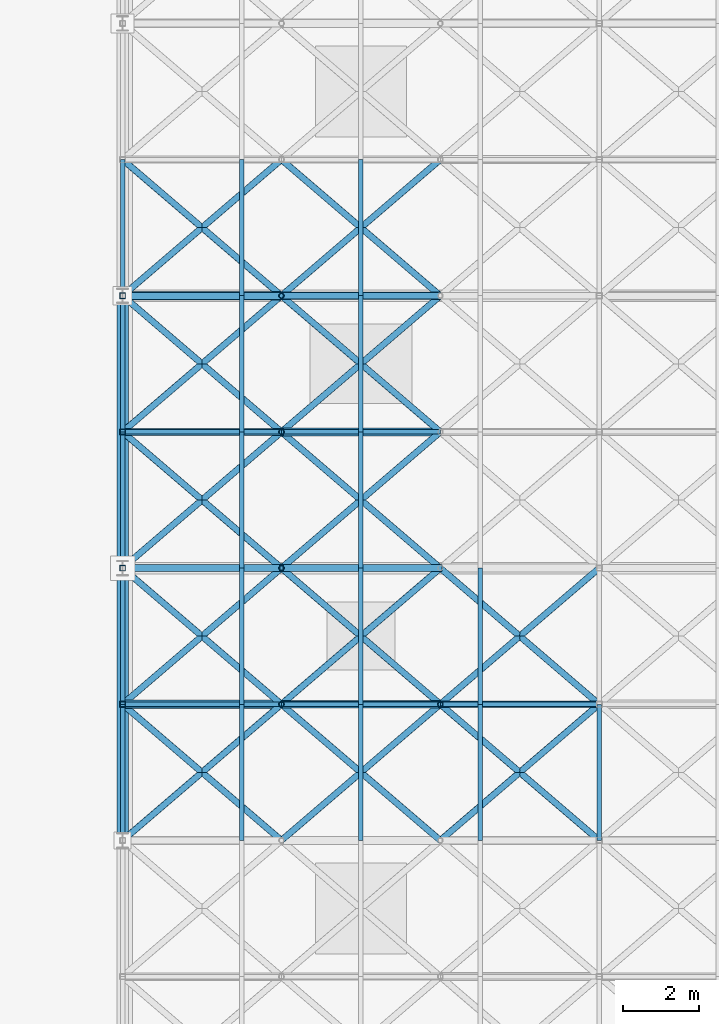
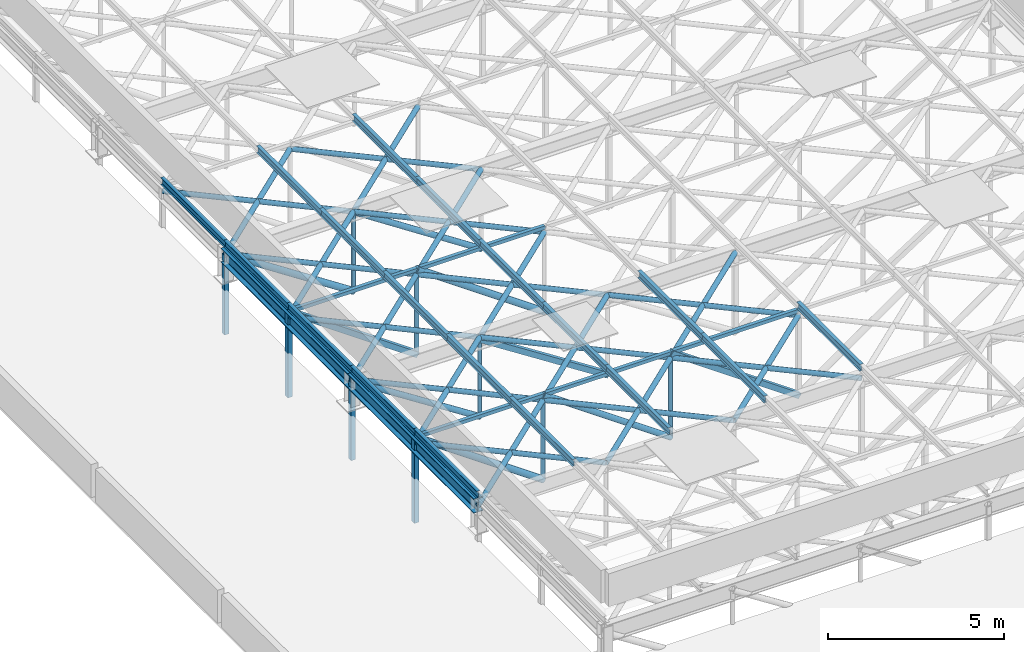
# One storey, part 9 of 45: 65 members, 2 beams.
"""IFC4 building model written with IfcOpenShell, lengths in metres."""

from ifc_helpers import new_model, si_unit, derived_unit, direction, frame, origin, origin_2d, place, context, subcontext, project, spatial, hollow_rectangle, hollow_circle, i_section, extrude, material, material_profile, profile_set, type_object, element, save


model = new_model("IFC4")

# Units and contexts
model_context = context("Model", 3, precision=1e-05, world=origin(), true_north=direction((0.0, 1.0)))
body_context = subcontext(model_context, "Body", "Model", "MODEL_VIEW")
ifc_project = project(units=[si_unit("LENGTHUNIT", "METRE"), si_unit("AREAUNIT", "SQUARE_METRE"), si_unit("VOLUMEUNIT", "CUBIC_METRE"), si_unit("PLANEANGLEUNIT", "RADIAN"), si_unit("MASSUNIT", "GRAM", prefix="KILO"), derived_unit("THERMALTRANSMITTANCEUNIT", [(si_unit("MASSUNIT", "GRAM", prefix="KILO"), 1), (si_unit("TIMEUNIT", "SECOND"), -3), (si_unit("THERMODYNAMICTEMPERATUREUNIT", "KELVIN"), -1)])], contexts=[model_context])

# Site, building, storey
site_placement = place(None, origin())
site = spatial("IfcSite", under=ifc_project, at=site_placement, CompositionType="ELEMENT")
building_placement = place(site_placement, origin())
building = spatial("IfcBuilding", under=site, at=building_placement, Name="Veldstrom Oceanarium and Marine Research Institute", CompositionType="ELEMENT")
storey_placement = place(building_placement, frame((0.0, 0.0, 22.199951171875)))
storey = spatial("IfcBuildingStorey", under=building, at=storey_placement, Name="L04", CompositionType="ELEMENT", Elevation=22.199951171875)

# Beams
ifc_material_1 = material(Name="Steel S355JR", Category="steel")
ifc_material_profile_1 = material_profile(ifc_material_1, i_section(OverallWidth=0.300048828125, OverallDepth=0.5, WebThickness=0.014404296875, FlangeThickness=0.028076171875, FilletRadius=0.027099609375, at=origin_2d()), Name="HEB 500")
ifc_profile_set_1 = profile_set([ifc_material_profile_1], Name="Steel S355JR")
beam_type = type_object("IfcBeamType", Name="STR-BM-SB4", PredefinedType="BEAM", material=ifc_profile_set_1)
for number, where, z_axis, x_axis, name in (
    (1, (16.800048828125, 21.60009765625, 0.860107421875), (0.0, 1.0, 0.0), (-1.0, 0.0, 0.0), "Hall Roof Edge Girder 3/D"),
    (2, (16.800048828125, 28.800048828125, 0.860107421875), (0.0, 1.0, 0.0), (-1.0, 0.0, 0.0), "Hall Roof Edge Girder 3/E"),
):
    element("IfcBeam", number, at=place(storey_placement, frame(where, z_axis=z_axis, x_axis=x_axis)), inside=storey, type_object=beam_type, Name=name, PredefinedType="BEAM", context=body_context, shape_type="SweptSolid", body=[
        extrude(i_section(OverallWidth=0.300048828125, OverallDepth=0.5, WebThickness=0.014404296875, FlangeThickness=0.028076171875, FilletRadius=0.027099609375, at=origin_2d()), origin(), (0.0, 0.0, 1.0), 7.199951171875),
    ])

# Members
ifc_material_2 = material(Name="Steel S355JR", Category="steel")
ifc_material_profile_2 = material_profile(ifc_material_2, hollow_circle(Radius=0.109619140625, WallThickness=0.012451171875, at=origin_2d()), Name="CHS 219.1x12.5")
ifc_profile_set_2 = profile_set([ifc_material_profile_2], Name="Steel S355JR")
member_type_1 = type_object("IfcMemberType", Name="STR-MEM-BR1", PredefinedType="BRACE", material=ifc_profile_set_2)
for number, where, z_axis, x_axis, name in (
    (3, (16.800048828125, 25.199951171875, 1.050048828125), (0.818316866904, 0.0, -0.574767348881), (0.0, 1.0, 0.0), "Truss Web Diagonal RT04-1"),
    (4, (21.0, 32.39990234375, 1.050048828125), (0.818316866904, 0.0, -0.574767348881), (0.0, 1.0, 0.0), "Truss Web Diagonal RT06-2"),
):
    element("IfcMember", number, at=place(storey_placement, frame(where, z_axis=z_axis, x_axis=x_axis)), inside=storey, type_object=member_type_1, Name=name, PredefinedType="BRACE", context=body_context, shape_type="SweptSolid", body=[
        extrude(hollow_circle(Radius=0.109619140625, WallThickness=0.012451171875, at=origin_2d()), origin(), (0.0, 0.0, 1.0), 5.13232421875),
    ])
member_1_placement = place(storey_placement, frame((16.800048828125, 36.0, 0.860107421875), z_axis=(0.835701657629, 0.0, -0.549183702813), x_axis=(0.0, 1.0, 0.0)))
element("IfcMember", 5, at=member_1_placement, inside=storey, type_object=member_type_1, Name="Truss Web Diagonal RT07-1", PredefinedType="BRACE", context=body_context, shape_type="SweptSolid", body=[
    extrude(hollow_circle(Radius=0.109619140625, WallThickness=0.012451171875, at=origin_2d()), origin(), (0.0, 0.0, 1.0), 5.025634765625),
])
ifc_material_3 = material(Name="Steel S355JR", Category="steel")
ifc_material_profile_3 = material_profile(ifc_material_3, hollow_circle(Radius=0.096923828125, WallThickness=0.010009765625, at=origin_2d()), Name="CHS 193.7x10")
ifc_profile_set_3 = profile_set([ifc_material_profile_3], Name="Steel S355JR")
member_type_2 = type_object("IfcMemberType", Name="STR-MEM-BR2", PredefinedType="BRACE", material=ifc_profile_set_3)
member_2_placement = place(storey_placement, frame((21.0, 25.199951171875, 1.050048828125), z_axis=(0.818316866904, 0.0, -0.574767348881), x_axis=(0.0, 1.0, 0.0)))
element("IfcMember", 6, at=member_2_placement, inside=storey, type_object=member_type_2, Name="Truss Web Diagonal RT04-2", PredefinedType="BRACE", context=body_context, shape_type="SweptSolid", body=[
    extrude(hollow_circle(Radius=0.096923828125, WallThickness=0.010009765625, at=origin_2d()), origin(), (0.0, 0.0, 1.0), 5.13232421875),
])
member_3_placement = place(storey_placement, frame((16.800048828125, 28.800048828125, 0.81005859375), z_axis=(0.840267936235, 0.0, -0.542171370819), x_axis=(0.0, 1.0, 0.0)))
element("IfcMember", 7, at=member_3_placement, inside=storey, type_object=member_type_2, Name="Truss Web Diagonal RT05-1", PredefinedType="BRACE", context=body_context, shape_type="SweptSolid", body=[
    extrude(hollow_circle(Radius=0.096923828125, WallThickness=0.010009765625, at=origin_2d()), origin(), (0.0, 0.0, 1.0), 4.998291015625),
])
member_4_placement = place(storey_placement, frame((21.0, 36.0, 0.860107421875), z_axis=(0.835701657629, 0.0, -0.549183702813), x_axis=(0.0, 1.0, 0.0)))
element("IfcMember", 8, at=member_4_placement, inside=storey, type_object=member_type_2, Name="Truss Web Diagonal RT07-2", PredefinedType="BRACE", context=body_context, shape_type="SweptSolid", body=[
    extrude(hollow_circle(Radius=0.096923828125, WallThickness=0.010009765625, at=origin_2d()), origin(), (0.0, 0.0, 1.0), 5.025634765625),
])
ifc_material_4 = material(Name="Steel S355JR", Category="steel")
ifc_material_profile_4 = material_profile(ifc_material_4, hollow_circle(Radius=0.084228515625, WallThickness=0.008056640625, at=origin_2d()), Name="CHS 168.3x8")
ifc_profile_set_4 = profile_set([ifc_material_profile_4], Name="Steel S355JR")
member_type_3 = type_object("IfcMemberType", Name="STR-MEM-BR3", PredefinedType="BRACE", material=ifc_profile_set_4)
for number, where, z_axis, x_axis, name in (
    (9, (16.800048828125, 21.60009765625, 0.860107421875), (0.759265948664, 0.650780469282, 0.0), (-0.650780469282, 0.759265948664, 0.0), "Roof Plan Wind Brace WB-03-1"),
    (10, (21.0, 21.60009765625, 0.860107421875), (-0.759265948664, 0.650780469282, 0.0), (-0.650780469282, -0.759265948664, 0.0), "Roof Plan Counter Wind Brace WB-03-1B"),
    (11, (21.0, 21.60009765625, 0.860107421875), (0.759265948664, 0.650780469282, 0.0), (-0.650780469282, 0.759265948664, 0.0), "Roof Plan Wind Brace WB-03-2"),
    (12, (25.199951171875, 21.60009765625, 0.860107421875), (-0.759265948664, 0.650780469282, 0.0), (-0.650780469282, -0.759265948664, 0.0), "Roof Plan Counter Wind Brace WB-03-2B"),
    (13, (25.199951171875, 21.60009765625, 0.860107421875), (0.759265948664, 0.650780469282, 0.0), (-0.650780469282, 0.759265948664, 0.0), "Roof Plan Wind Brace WB-03-3"),
    (14, (29.39990234375, 21.60009765625, 0.860107421875), (-0.759265948664, 0.650780469282, 0.0), (-0.650780469282, -0.759265948664, 0.0), "Roof Plan Counter Wind Brace WB-03-3B"),
):
    element("IfcMember", number, at=place(storey_placement, frame(where, z_axis=z_axis, x_axis=x_axis)), inside=storey, type_object=member_type_3, Name=name, PredefinedType="BRACE", context=body_context, shape_type="SweptSolid", body=[
        extrude(hollow_circle(Radius=0.084228515625, WallThickness=0.008056640625, at=origin_2d()), origin(), (0.0, 0.0, 1.0), 5.531494140625),
    ])
for number, where, z_axis, x_axis, name in (
    (15, (16.800048828125, 25.199951171875, 0.860107421875), (0.759244140748, 0.650805911728, 0.0), (-0.650805911728, 0.759244140748, 0.0), "Roof Plan Wind Brace WB-04-1"),
    (16, (21.0, 25.199951171875, 0.860107421875), (-0.759244140748, 0.650805911728, 0.0), (-0.650805911728, -0.759244140748, 0.0), "Roof Plan Counter Wind Brace WB-04-1B"),
    (17, (21.0, 25.199951171875, 0.860107421875), (0.759244140748, 0.650805911728, 0.0), (-0.650805911728, 0.759244140748, 0.0), "Roof Plan Wind Brace WB-04-2"),
    (18, (25.199951171875, 25.199951171875, 0.860107421875), (-0.759244140748, 0.650805911728, 0.0), (-0.650805911728, -0.759244140748, 0.0), "Roof Plan Counter Wind Brace WB-04-2B"),
    (19, (25.199951171875, 25.199951171875, 0.860107421875), (0.759244140748, 0.650805911728, 0.0), (-0.650805911728, 0.759244140748, 0.0), "Roof Plan Wind Brace WB-04-3"),
    (20, (29.39990234375, 25.199951171875, 0.860107421875), (-0.759244140748, 0.650805911728, 0.0), (-0.650805911728, -0.759244140748, 0.0), "Roof Plan Counter Wind Brace WB-04-3B"),
):
    element("IfcMember", number, at=place(storey_placement, frame(where, z_axis=z_axis, x_axis=x_axis)), inside=storey, type_object=member_type_3, Name=name, PredefinedType="BRACE", context=body_context, shape_type="SweptSolid", body=[
        extrude(hollow_circle(Radius=0.084228515625, WallThickness=0.008056640625, at=origin_2d()), origin(), (0.0, 0.0, 1.0), 5.53173828125),
    ])
for number, where, z_axis, x_axis, name in (
    (21, (16.800048828125, 28.800048828125, 0.860107421875), (0.759265948664, 0.650780469282, 0.0), (-0.650780469282, 0.759265948664, 0.0), "Roof Plan Wind Brace WB-05-1"),
    (22, (21.0, 28.800048828125, 0.860107421875), (-0.759265948664, 0.650780469282, 0.0), (-0.650780469282, -0.759265948664, 0.0), "Roof Plan Counter Wind Brace WB-05-1B"),
    (23, (21.0, 28.800048828125, 0.860107421875), (0.759265948664, 0.650780469282, 0.0), (-0.650780469282, 0.759265948664, 0.0), "Roof Plan Wind Brace WB-05-2"),
    (24, (25.199951171875, 28.800048828125, 0.860107421875), (-0.759265948664, 0.650780469282, 0.0), (-0.650780469282, -0.759265948664, 0.0), "Roof Plan Counter Wind Brace WB-05-2B"),
):
    element("IfcMember", number, at=place(storey_placement, frame(where, z_axis=z_axis, x_axis=x_axis)), inside=storey, type_object=member_type_3, Name=name, PredefinedType="BRACE", context=body_context, shape_type="SweptSolid", body=[
        extrude(hollow_circle(Radius=0.084228515625, WallThickness=0.008056640625, at=origin_2d()), origin(), (0.0, 0.0, 1.0), 5.531494140625),
    ])
for number, where, z_axis, x_axis, name in (
    (25, (16.800048828125, 32.39990234375, 0.860107421875), (0.759244140748, 0.650805911728, 0.0), (-0.650805911728, 0.759244140748, 0.0), "Roof Plan Wind Brace WB-06-1"),
    (26, (21.0, 32.39990234375, 0.860107421875), (-0.759244140748, 0.650805911728, 0.0), (-0.650805911728, -0.759244140748, 0.0), "Roof Plan Counter Wind Brace WB-06-1B"),
    (27, (21.0, 32.39990234375, 0.860107421875), (0.759244140748, 0.650805911728, 0.0), (-0.650805911728, 0.759244140748, 0.0), "Roof Plan Wind Brace WB-06-2"),
    (28, (25.199951171875, 32.39990234375, 0.860107421875), (-0.759244140748, 0.650805911728, 0.0), (-0.650805911728, -0.759244140748, 0.0), "Roof Plan Counter Wind Brace WB-06-2B"),
    (29, (16.800048828125, 36.0, 0.860107421875), (0.759244140748, 0.650805911728, 0.0), (-0.650805911728, 0.759244140748, 0.0), "Roof Plan Wind Brace WB-07-1"),
    (30, (21.0, 36.0, 0.860107421875), (-0.759244140748, 0.650805911728, 0.0), (-0.650805911728, -0.759244140748, 0.0), "Roof Plan Counter Wind Brace WB-07-1B"),
    (31, (21.0, 36.0, 0.860107421875), (0.759244140748, 0.650805911728, 0.0), (-0.650805911728, 0.759244140748, 0.0), "Roof Plan Wind Brace WB-07-2"),
    (32, (25.199951171875, 36.0, 0.860107421875), (-0.759244140748, 0.650805911728, 0.0), (-0.650805911728, -0.759244140748, 0.0), "Roof Plan Counter Wind Brace WB-07-2B"),
):
    element("IfcMember", number, at=place(storey_placement, frame(where, z_axis=z_axis, x_axis=x_axis)), inside=storey, type_object=member_type_3, Name=name, PredefinedType="BRACE", context=body_context, shape_type="SweptSolid", body=[
        extrude(hollow_circle(Radius=0.084228515625, WallThickness=0.008056640625, at=origin_2d()), origin(), (0.0, 0.0, 1.0), 5.53173828125),
    ])
ifc_material_5 = material(Name="Steel S355JR", Category="steel")
ifc_material_profile_5 = material_profile(ifc_material_5, hollow_rectangle(XDim=0.179931640625, YDim=0.179931640625, WallThickness=0.010009765625, at=origin_2d()), Name="SHS 180x180x10")
ifc_profile_set_5 = profile_set([ifc_material_profile_5], Name="Steel S355JR")
member_type_4 = type_object("IfcMemberType", Name="STR-MEM-BR4", PredefinedType="BRACE", material=ifc_profile_set_5)
member_5_placement = place(storey_placement, frame((25.199951171875, 25.199951171875, 1.050048828125), z_axis=(0.818316866904, 0.0, -0.574767348881), x_axis=(0.0, 1.0, 0.0)))
element("IfcMember", 33, at=member_5_placement, inside=storey, type_object=member_type_4, Name="Truss Web Diagonal RT04-3", PredefinedType="BRACE", context=body_context, shape_type="SweptSolid", body=[
    extrude(hollow_rectangle(XDim=0.179931640625, YDim=0.179931640625, WallThickness=0.010009765625, at=origin_2d()), origin(), (0.0, 0.0, 1.0), 5.13232421875),
])
member_6_placement = place(storey_placement, frame((21.0, 28.800048828125, 0.81005859375), z_axis=(0.840267936235, 0.0, -0.542171370819), x_axis=(0.0, 1.0, 0.0)))
element("IfcMember", 34, at=member_6_placement, inside=storey, type_object=member_type_4, Name="Truss Web Diagonal RT05-2", PredefinedType="BRACE", context=body_context, shape_type="SweptSolid", body=[
    extrude(hollow_rectangle(XDim=0.179931640625, YDim=0.179931640625, WallThickness=0.010009765625, at=origin_2d()), origin(), (0.0, 0.0, 1.0), 4.998291015625),
])
member_7_placement = place(storey_placement, frame((16.800048828125, 32.39990234375, 1.050048828125), z_axis=(0.818316866904, 0.0, -0.574767348881), x_axis=(0.0, 1.0, 0.0)))
element("IfcMember", 35, at=member_7_placement, inside=storey, type_object=member_type_4, Name="Truss Web Diagonal RT06-1", PredefinedType="BRACE", context=body_context, shape_type="SweptSolid", body=[
    extrude(hollow_rectangle(XDim=0.179931640625, YDim=0.179931640625, WallThickness=0.010009765625, at=origin_2d()), origin(), (0.0, 0.0, 1.0), 5.13232421875),
])
ifc_material_6 = material(Name="Steel S355JR", Category="steel")
ifc_material_profile_6 = material_profile(ifc_material_6, i_section(OverallWidth=0.1201171875, OverallDepth=0.239990234375, WebThickness=0.006103515625, FlangeThickness=0.009765625, FilletRadius=0.014892578125, at=origin_2d()), Name="IPE 240")
ifc_profile_set_6 = profile_set([ifc_material_profile_6], Name="Steel S355JR")
member_type_5 = type_object("IfcMemberType", Name="STR-MEM-PR1", PredefinedType="PURLIN", material=ifc_profile_set_6)
for number, where, z_axis, x_axis, name in (
    (36, (16.800048828125, 21.60009765625, 1.22998046875), (0.0, 1.0, 0.0), (-1.0, 0.0, 0.0), "Hall Roof Purlin PR-04-1"),
    (37, (19.949951171875, 21.60009765625, 1.22998046875), (0.0, 1.0, 0.0), (-1.0, 0.0, 0.0), "Hall Roof Purlin PR-04-2"),
    (38, (23.10009765625, 21.60009765625, 1.22998046875), (0.0, 1.0, 0.0), (-1.0, 0.0, 0.0), "Hall Roof Purlin PR-04-3"),
    (39, (26.25, 21.60009765625, 1.22998046875), (0.0, 1.0, 0.0), (-1.0, 0.0, 0.0), "Hall Roof Purlin PR-04-4"),
    (40, (29.39990234375, 21.60009765625, 1.22998046875), (0.0, 1.0, 0.0), (-1.0, 0.0, 0.0), "Hall Roof Purlin PR-04-5"),
):
    element("IfcMember", number, at=place(storey_placement, frame(where, z_axis=z_axis, x_axis=x_axis)), inside=storey, type_object=member_type_5, Name=name, PredefinedType="PURLIN", context=body_context, shape_type="SweptSolid", body=[
        extrude(i_section(OverallWidth=0.1201171875, OverallDepth=0.239990234375, WebThickness=0.006103515625, FlangeThickness=0.009765625, FilletRadius=0.014892578125, at=origin_2d()), origin(), (0.0, 0.0, 1.0), 3.599853515625),
    ])
for number, where, z_axis, x_axis, name in (
    (41, (16.800048828125, 25.199951171875, 1.22998046875), (0.0, 1.0, 0.0), (-1.0, 0.0, 0.0), "Hall Roof Purlin PR-05-1"),
    (42, (19.949951171875, 25.199951171875, 1.22998046875), (0.0, 1.0, 0.0), (-1.0, 0.0, 0.0), "Hall Roof Purlin PR-05-2"),
    (43, (23.10009765625, 25.199951171875, 1.22998046875), (0.0, 1.0, 0.0), (-1.0, 0.0, 0.0), "Hall Roof Purlin PR-05-3"),
    (44, (26.25, 25.199951171875, 1.22998046875), (0.0, 1.0, 0.0), (-1.0, 0.0, 0.0), "Hall Roof Purlin PR-05-4"),
):
    element("IfcMember", number, at=place(storey_placement, frame(where, z_axis=z_axis, x_axis=x_axis)), inside=storey, type_object=member_type_5, Name=name, PredefinedType="PURLIN", context=body_context, shape_type="SweptSolid", body=[
        extrude(i_section(OverallWidth=0.1201171875, OverallDepth=0.239990234375, WebThickness=0.006103515625, FlangeThickness=0.009765625, FilletRadius=0.014892578125, at=origin_2d()), origin(), (0.0, 0.0, 1.0), 3.60009765625),
    ])
for number, where, z_axis, x_axis, name in (
    (45, (16.800048828125, 28.800048828125, 1.22998046875), (0.0, 1.0, 0.0), (-1.0, 0.0, 0.0), "Hall Roof Purlin PR-06-1"),
    (46, (19.949951171875, 28.800048828125, 1.22998046875), (0.0, 1.0, 0.0), (-1.0, 0.0, 0.0), "Hall Roof Purlin PR-06-2"),
    (47, (23.10009765625, 28.800048828125, 1.22998046875), (0.0, 1.0, 0.0), (-1.0, 0.0, 0.0), "Hall Roof Purlin PR-06-3"),
):
    element("IfcMember", number, at=place(storey_placement, frame(where, z_axis=z_axis, x_axis=x_axis)), inside=storey, type_object=member_type_5, Name=name, PredefinedType="PURLIN", context=body_context, shape_type="SweptSolid", body=[
        extrude(i_section(OverallWidth=0.1201171875, OverallDepth=0.239990234375, WebThickness=0.006103515625, FlangeThickness=0.009765625, FilletRadius=0.014892578125, at=origin_2d()), origin(), (0.0, 0.0, 1.0), 3.599853515625),
    ])
for number, where, z_axis, x_axis, name in (
    (48, (16.800048828125, 32.39990234375, 1.22998046875), (0.0, 1.0, 0.0), (-1.0, 0.0, 0.0), "Hall Roof Purlin PR-07-1"),
    (49, (19.949951171875, 32.39990234375, 1.22998046875), (0.0, 1.0, 0.0), (-1.0, 0.0, 0.0), "Hall Roof Purlin PR-07-2"),
    (50, (23.10009765625, 32.39990234375, 1.22998046875), (0.0, 1.0, 0.0), (-1.0, 0.0, 0.0), "Hall Roof Purlin PR-07-3"),
    (51, (16.800048828125, 36.0, 1.22998046875), (0.0, 1.0, 0.0), (-1.0, 0.0, 0.0), "Hall Roof Purlin PR-08-1"),
    (52, (19.949951171875, 36.0, 1.22998046875), (0.0, 1.0, 0.0), (-1.0, 0.0, 0.0), "Hall Roof Purlin PR-08-2"),
    (53, (23.10009765625, 36.0, 1.22998046875), (0.0, 1.0, 0.0), (-1.0, 0.0, 0.0), "Hall Roof Purlin PR-08-3"),
):
    element("IfcMember", number, at=place(storey_placement, frame(where, z_axis=z_axis, x_axis=x_axis)), inside=storey, type_object=member_type_5, Name=name, PredefinedType="PURLIN", context=body_context, shape_type="SweptSolid", body=[
        extrude(i_section(OverallWidth=0.1201171875, OverallDepth=0.239990234375, WebThickness=0.006103515625, FlangeThickness=0.009765625, FilletRadius=0.014892578125, at=origin_2d()), origin(), (0.0, 0.0, 1.0), 3.60009765625),
    ])
ifc_material_7 = material(Name="Steel S355JR", Category="steel")
ifc_material_profile_7 = material_profile(ifc_material_7, hollow_rectangle(XDim=0.14990234375, YDim=0.14990234375, WallThickness=0.010009765625, at=origin_2d()), Name="SHS 150x150x10")
ifc_profile_set_7 = profile_set([ifc_material_profile_7], Name="Steel S355JR")
member_type_6 = type_object("IfcMemberType", Name="STR-MEM-PS1", PredefinedType="POST", material=ifc_profile_set_7)
member_8_placement = place(storey_placement, frame((16.800048828125, 25.199951171875, -1.89990234375), z_axis=(0.0, 0.0, 1.0), x_axis=(1.0, 0.0, 0.0)))
element("IfcMember", 54, at=member_8_placement, inside=storey, type_object=member_type_6, Name="Truss Vertical Post RT04-1", PredefinedType="POST", context=body_context, shape_type="SweptSolid", body=[
    extrude(hollow_rectangle(XDim=0.14990234375, YDim=0.14990234375, WallThickness=0.010009765625, at=origin_2d()), origin(), (0.0, 0.0, 1.0), 2.949951171875),
])
member_9_placement = place(storey_placement, frame((16.800048828125, 28.800048828125, -1.89990234375), z_axis=(0.0, 0.0, 1.0), x_axis=(1.0, 0.0, 0.0)))
element("IfcMember", 55, at=member_9_placement, inside=storey, type_object=member_type_6, Name="Truss Vertical Post RT05-1", PredefinedType="POST", context=body_context, shape_type="SweptSolid", body=[
    extrude(hollow_rectangle(XDim=0.14990234375, YDim=0.14990234375, WallThickness=0.010009765625, at=origin_2d()), origin(), (0.0, 0.0, 1.0), 2.7099609375),
])
member_10_placement = place(storey_placement, frame((16.800048828125, 32.39990234375, -1.89990234375), z_axis=(0.0, 0.0, 1.0), x_axis=(1.0, 0.0, 0.0)))
element("IfcMember", 56, at=member_10_placement, inside=storey, type_object=member_type_6, Name="Truss Vertical Post RT06-1", PredefinedType="POST", context=body_context, shape_type="SweptSolid", body=[
    extrude(hollow_rectangle(XDim=0.14990234375, YDim=0.14990234375, WallThickness=0.010009765625, at=origin_2d()), origin(), (0.0, 0.0, 1.0), 2.949951171875),
])
member_11_placement = place(storey_placement, frame((16.800048828125, 36.0, -1.89990234375), z_axis=(0.0, 0.0, 1.0), x_axis=(1.0, 0.0, 0.0)))
element("IfcMember", 57, at=member_11_placement, inside=storey, type_object=member_type_6, Name="Truss Vertical Post RT07-1", PredefinedType="POST", context=body_context, shape_type="SweptSolid", body=[
    extrude(hollow_rectangle(XDim=0.14990234375, YDim=0.14990234375, WallThickness=0.010009765625, at=origin_2d()), origin(), (0.0, 0.0, 1.0), 2.760009765625),
])
ifc_material_8 = material(Name="Steel S355JR", Category="steel")
ifc_material_profile_8 = material_profile(ifc_material_8, hollow_circle(Radius=0.06982421875, WallThickness=0.008056640625, at=origin_2d()), Name="CHS 139.7x8")
ifc_profile_set_8 = profile_set([ifc_material_profile_8], Name="Steel S355JR")
member_type_7 = type_object("IfcMemberType", Name="STR-MEM-PS2", PredefinedType="POST", material=ifc_profile_set_8)
for number, where, z_axis, x_axis, name in (
    (58, (21.0, 25.199951171875, -1.89990234375), (0.0, 0.0, 1.0), (1.0, 0.0, 0.0), "Truss Vertical Post RT04-2"),
    (59, (25.199951171875, 25.199951171875, -1.89990234375), (0.0, 0.0, 1.0), (1.0, 0.0, 0.0), "Truss Vertical Post RT04-3"),
):
    element("IfcMember", number, at=place(storey_placement, frame(where, z_axis=z_axis, x_axis=x_axis)), inside=storey, type_object=member_type_7, Name=name, PredefinedType="POST", context=body_context, shape_type="SweptSolid", body=[
        extrude(hollow_circle(Radius=0.06982421875, WallThickness=0.008056640625, at=origin_2d()), origin(), (0.0, 0.0, 1.0), 2.949951171875),
    ])
member_12_placement = place(storey_placement, frame((21.0, 28.800048828125, -1.89990234375), z_axis=(0.0, 0.0, 1.0), x_axis=(1.0, 0.0, 0.0)))
element("IfcMember", 60, at=member_12_placement, inside=storey, type_object=member_type_7, Name="Truss Vertical Post RT05-2", PredefinedType="POST", context=body_context, shape_type="SweptSolid", body=[
    extrude(hollow_circle(Radius=0.06982421875, WallThickness=0.008056640625, at=origin_2d()), origin(), (0.0, 0.0, 1.0), 2.7099609375),
])
member_13_placement = place(storey_placement, frame((21.0, 32.39990234375, -1.89990234375), z_axis=(0.0, 0.0, 1.0), x_axis=(1.0, 0.0, 0.0)))
element("IfcMember", 61, at=member_13_placement, inside=storey, type_object=member_type_7, Name="Truss Vertical Post RT06-2", PredefinedType="POST", context=body_context, shape_type="SweptSolid", body=[
    extrude(hollow_circle(Radius=0.06982421875, WallThickness=0.008056640625, at=origin_2d()), origin(), (0.0, 0.0, 1.0), 2.949951171875),
])
member_14_placement = place(storey_placement, frame((21.0, 36.0, -1.89990234375), z_axis=(0.0, 0.0, 1.0), x_axis=(1.0, 0.0, 0.0)))
element("IfcMember", 62, at=member_14_placement, inside=storey, type_object=member_type_7, Name="Truss Vertical Post RT07-2", PredefinedType="POST", context=body_context, shape_type="SweptSolid", body=[
    extrude(hollow_circle(Radius=0.06982421875, WallThickness=0.008056640625, at=origin_2d()), origin(), (0.0, 0.0, 1.0), 2.760009765625),
])
ifc_material_9 = material(Name="Steel S355JR", Category="steel")
ifc_material_profile_9 = material_profile(ifc_material_9, hollow_rectangle(XDim=0.1201171875, YDim=0.1201171875, WallThickness=0.008056640625, at=origin_2d()), Name="SHS 120x120x8")
ifc_profile_set_9 = profile_set([ifc_material_profile_9], Name="Steel S355JR")
member_type_8 = type_object("IfcMemberType", Name="STR-MEM-RF1", PredefinedType="RAFTER", material=ifc_profile_set_9)
for number, where, z_axis, x_axis, name in (
    (63, (16.800048828125, 25.199951171875, 1.050048828125), (1.0, 0.0, 0.0), (0.0, 1.0, 0.0), "Truss Top Rafter RT04-1"),
    (64, (21.0, 25.199951171875, 1.050048828125), (1.0, 0.0, 0.0), (0.0, 1.0, 0.0), "Truss Top Rafter RT04-2"),
    (65, (25.199951171875, 25.199951171875, 1.050048828125), (1.0, 0.0, 0.0), (0.0, 1.0, 0.0), "Truss Top Rafter RT04-3"),
    (66, (16.800048828125, 32.39990234375, 1.050048828125), (1.0, 0.0, 0.0), (0.0, 1.0, 0.0), "Truss Top Rafter RT06-1"),
    (67, (21.0, 32.39990234375, 1.050048828125), (1.0, 0.0, 0.0), (0.0, 1.0, 0.0), "Truss Top Rafter RT06-2"),
):
    element("IfcMember", number, at=place(storey_placement, frame(where, z_axis=z_axis, x_axis=x_axis)), inside=storey, type_object=member_type_8, Name=name, PredefinedType="RAFTER", context=body_context, shape_type="SweptSolid", body=[
        extrude(hollow_rectangle(XDim=0.1201171875, YDim=0.1201171875, WallThickness=0.008056640625, at=origin_2d()), origin(), (0.0, 0.0, 1.0), 4.199951171875),
    ])

save(model, "model.ifc")
